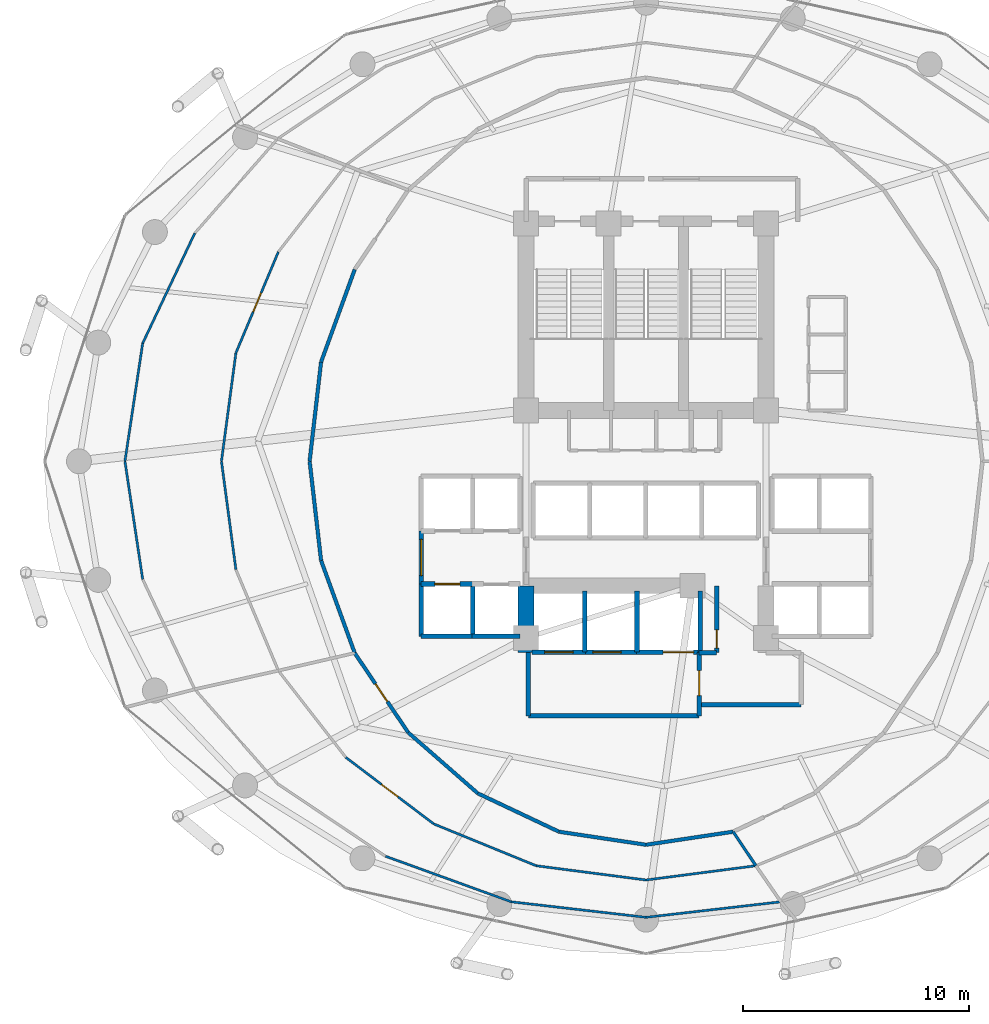
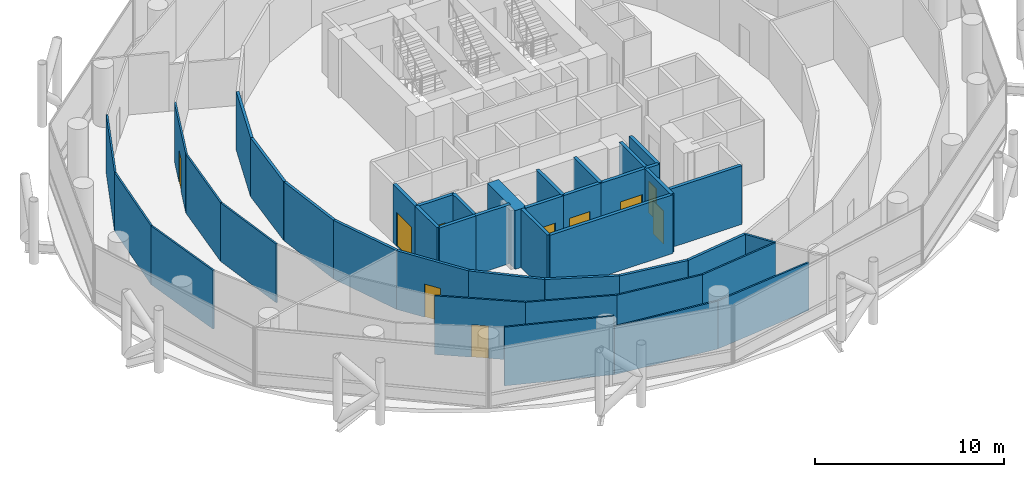
# One storey, part 21 of 26: 42 walls, 10 doors, 10 openings.
"""IFC4 building model written with IfcOpenShell, lengths in metres."""

from ifc_helpers import new_model, si_unit, direction, frame, frame_2d, origin, place, context, subcontext, project, spatial, rectangle, extrude, material, layer, layer_set, type_object, element, fill, save


model = new_model("IFC4")

# Units and contexts
model_context = context("Model", 3, precision=1e-05, world=origin(), true_north=direction((0.0, 1.0)))
body_context = subcontext(model_context, "Body", "Model", "MODEL_VIEW")
ifc_project = project(units=[si_unit("LENGTHUNIT", "METRE"), si_unit("AREAUNIT", "SQUARE_METRE"), si_unit("VOLUMEUNIT", "CUBIC_METRE"), si_unit("PLANEANGLEUNIT", "RADIAN"), si_unit("MASSUNIT", "GRAM", prefix="KILO")], contexts=[model_context])

# Site, building, storey
site_placement = place(None, origin())
site = spatial("IfcSite", under=ifc_project, at=site_placement, CompositionType="ELEMENT")
building_placement = place(site_placement, origin())
building = spatial("IfcBuilding", under=site, at=building_placement, Name="Nuhasar Tower", CompositionType="ELEMENT")
storey_placement = place(building_placement, frame((0.0, 0.0, 93.89990234375)))
storey = spatial("IfcBuildingStorey", under=building, at=storey_placement, Name="L22", CompositionType="ELEMENT", Elevation=93.89990234375)

# Walls
ifc_material_1 = material(Name="Concrete C65/80", Category="concrete")
ifc_layer_1 = layer(ifc_material_1, 0.699951171875)
ifc_layer_set_1 = layer_set([ifc_layer_1], Name="Concrete C65/80")
wall_type_1 = type_object("IfcWallType", Name="WL-CORE-700", PredefinedType="SHEAR", material=ifc_layer_set_1)
wall_1_placement = place(storey_placement, frame((33.699951171875, 18.35009765625, 0.0), z_axis=(0.0, 0.0, 1.0), x_axis=(0.0, 1.0, 0.0)))
element("IfcWall", 1, at=wall_1_placement, inside=storey, type_object=wall_type_1, Name="L22 Core Shear Wall CW-SW CW-700", PredefinedType="SHEAR", context=body_context, shape_type="SweptSolid", body=[
    extrude(rectangle(XDim=2.949951171875, YDim=0.699951171875, at=frame_2d((1.47509765625, 0.0))), origin(), (0.0, 0.0, 1.0), 3.800048828125),
])
ifc_material_2 = material(Name="Gypsum Board", Category="gypsum")
ifc_layer_2 = layer(ifc_material_2, 0.159912109375)
ifc_layer_set_2 = layer_set([ifc_layer_2], Name="Gypsum Board")
wall_type_2 = type_object("IfcWallType", Name="WL-CORR-160", PredefinedType="PARTITIONING", material=ifc_layer_set_2)
wall_2_placement = place(storey_placement, frame((26.131103515625, 35.27001953125, 0.0), z_axis=(0.0, 0.0, 1.0), x_axis=(-0.341603281562, -0.939844241365, 0.0)))
element("IfcWall", 2, at=wall_2_placement, inside=storey, type_object=wall_type_2, Name="L22 Interior Partition CORR-20", PredefinedType="PARTITIONING", context=body_context, shape_type="SweptSolid", body=[
    extrude(rectangle(XDim=4.347412109375, YDim=0.159912109375, at=frame_2d((2.173828125, 0.0))), origin(), (0.0, 0.0, 1.0), 3.800048828125),
])
for number, where, z_axis, x_axis, name in (
    (3, (24.64599609375, 31.18408203125, 0.0), (0.0, 0.0, 1.0), (-0.114680801911, -0.993402392625, 0.0), "L22 Interior Partition CORR-22"),
    (4, (24.139892578125, 26.800048828125, 0.0), (0.0, 0.0, 1.0), (0.114680801911, -0.993402392625, 0.0), "L22 Interior Partition CORR-24"),
):
    element("IfcWall", number, at=place(storey_placement, frame(where, z_axis=z_axis, x_axis=x_axis)), inside=storey, type_object=wall_type_2, Name=name, PredefinedType="PARTITIONING", context=body_context, shape_type="SweptSolid", body=[
        extrude(rectangle(XDim=4.4130859375, YDim=0.159912109375, at=frame_2d((2.20654296875, 0.0))), origin(), (0.0, 0.0, 1.0), 3.800048828125),
    ])
wall_3_placement = place(storey_placement, frame((24.64599609375, 22.416015625, 0.0), z_axis=(0.0, 0.0, 1.0), x_axis=(0.341603281562, -0.939844241365, 0.0)))
element("IfcWall", 5, at=wall_3_placement, inside=storey, type_object=wall_type_2, Name="L22 Interior Partition CORR-26", PredefinedType="PARTITIONING", context=body_context, shape_type="SweptSolid", body=[
    extrude(rectangle(XDim=4.347412109375, YDim=0.159912109375, at=frame_2d((2.173828125, 0.0))), origin(), (0.0, 0.0, 1.0), 3.800048828125),
])

# Wall, opening, door
wall_4_placement = place(storey_placement, frame((28.491943359375, 14.822021484375, 0.0), z_axis=(0.0, 0.0, 1.0), x_axis=(-0.558319056182, 0.829626320402, 0.0)))
wall_4 = element("IfcWall", 6, at=wall_4_placement, inside=storey, type_object=wall_type_2, Name="L22 Interior Partition CORR-28", PredefinedType="PARTITIONING", context=body_context, shape_type="SweptSolid", body=[
    extrude(rectangle(XDim=4.228515625, YDim=0.159912109375, at=frame_2d((2.1142578125, 0.0))), origin(), (0.0, 0.0, 1.0), 3.800048828125),
])
opening_1_placement = place(wall_4_placement, frame((1.638916015625, 0.0, 0.0)))
opening_1 = element("IfcOpeningElement", 7, at=opening_1_placement, cuts=wall_4, Name="Opening DO-01", PredefinedType="OPENING", context=body_context, shape_type="SweptSolid", body=[
    extrude(rectangle(XDim=0.949951171875, YDim=2.14990234375, at=frame_2d((0.47509765625, 1.074951171875))), frame((0.0, 0.08984375, 0.0), z_axis=(0.0, -1.0, 0.0), x_axis=(1.0, 0.0, 0.0)), (0.0, 0.0, 1.0), 0.179931640625),
])
ifc_material_3 = material(Name="Timber Oak", Category="wood")
door_type_1 = type_object("IfcDoorType", Name="DR-OFFICE-FD30-950", OperationType="NOTDEFINED", PredefinedType="DOOR", material=ifc_material_3)
door_1_placement = place(opening_1_placement, origin())
door_1 = element("IfcDoor", 8, at=door_1_placement, inside=storey, type_object=door_type_1, Name="L22 Members Cigar Hall Entry Door", OperationType="SINGLE_SWING_LEFT", OverallHeight=2.14990234375, OverallWidth=0.949951171875, PredefinedType="DOOR", context=body_context, shape_type="SweptSolid", body=[
    extrude(rectangle(XDim=0.949951171875, YDim=2.14990234375, at=frame_2d((0.47509765625, 1.074951171875))), frame((0.0, 0.02490234375, 0.0), z_axis=(0.0, -1.0, 0.0), x_axis=(1.0, 0.0, 0.0)), (0.0, 0.0, 1.0), 0.050048828125),
])
fill(opening_1, door_1)

# Walls
wall_5_placement = place(storey_placement, frame((28.491943359375, 14.822021484375, 0.0), z_axis=(0.0, 0.0, 1.0), x_axis=(0.752724610228, -0.658335523238, 0.0)))
element("IfcWall", 9, at=wall_5_placement, inside=storey, type_object=wall_type_2, Name="L22 Interior Partition CORR-30", PredefinedType="PARTITIONING", context=body_context, shape_type="SweptSolid", body=[
    extrude(rectangle(XDim=4.08935546875, YDim=0.159912109375, at=frame_2d((2.044677734375, 0.0))), origin(), (0.0, 0.0, 1.0), 3.800048828125),
])
wall_6_placement = place(storey_placement, frame((31.570068359375, 12.1298828125, 0.0), z_axis=(0.0, 0.0, 1.0), x_axis=(0.904206361714, -0.427095838701, 0.0)))
element("IfcWall", 10, at=wall_6_placement, inside=storey, type_object=wall_type_2, Name="L22 Interior Partition CORR-32", PredefinedType="PARTITIONING", context=body_context, shape_type="SweptSolid", body=[
    extrude(rectangle(XDim=3.963623046875, YDim=0.159912109375, at=frame_2d((1.98193359375, 0.0))), origin(), (0.0, 0.0, 1.0), 3.800048828125),
])
for number, where, z_axis, x_axis, name in (
    (11, (35.154052734375, 10.43701171875, 0.0), (0.0, 0.0, 1.0), (0.988935892392, -0.14834352274, 0.0), "L22 Interior Partition CORR-34"),
    (12, (39.0, 9.860107421875, 0.0), (0.0, 0.0, 1.0), (0.988935892392, 0.14834352274, 0.0), "L22 Interior Partition CORR-36"),
):
    element("IfcWall", number, at=place(storey_placement, frame(where, z_axis=z_axis, x_axis=x_axis)), inside=storey, type_object=wall_type_2, Name=name, PredefinedType="PARTITIONING", context=body_context, shape_type="SweptSolid", body=[
        extrude(rectangle(XDim=3.888916015625, YDim=0.159912109375, at=frame_2d((1.9443359375, 0.0))), origin(), (0.0, 0.0, 1.0), 3.800048828125),
    ])

# Wall, opening, door
ifc_material_4 = material(Name="Concrete C45/55", Category="concrete")
ifc_layer_3 = layer(ifc_material_4, 0.199951171875)
ifc_layer_set_3 = layer_set([ifc_layer_3], Name="Concrete C45/55")
wall_type_3 = type_object("IfcWallType", Name="WL-LOBBY-200", PredefinedType="SOLIDWALL", material=ifc_layer_set_3)
wall_7_placement = place(storey_placement, frame((29.070068359375, 21.3798828125, 0.0), z_axis=(0.0, 0.0, 1.0), x_axis=(0.0, 1.0, 0.0)))
wall_7 = element("IfcWall", 13, at=wall_7_placement, inside=storey, type_object=wall_type_3, Name="L22 Interior Partition LLBL-W", PredefinedType="SOLIDWALL", context=body_context, shape_type="SweptSolid", body=[
    extrude(rectangle(XDim=2.340087890625, YDim=0.199951171875, at=frame_2d((1.169921875, 0.0))), origin(), (0.0, 0.0, 1.0), 3.800048828125),
])
opening_2_placement = place(wall_7_placement, frame((0.3701171875, 0.0, 0.0)))
opening_2 = element("IfcOpeningElement", 14, at=opening_2_placement, cuts=wall_7, Name="Opening DC-01", PredefinedType="OPENING", context=body_context, shape_type="SweptSolid", body=[
    extrude(rectangle(XDim=1.60009765625, YDim=2.199951171875, at=frame_2d((0.800048828125, 1.10009765625))), frame((0.0, 0.10986328125, 0.0), z_axis=(0.0, -1.0, 0.0), x_axis=(1.0, 0.0, 0.0)), (0.0, 0.0, 1.0), 0.219970703125),
])
ifc_material_5 = material(Name="Steel S355", Category="steel")
door_type_2 = type_object("IfcDoorType", Name="DR-CORR-FD60-1600", OperationType="DOUBLE_DOOR_SINGLE_SWING", PredefinedType="DOOR", material=ifc_material_5)
door_2_placement = place(opening_2_placement, origin())
door_2 = element("IfcDoor", 15, at=door_2_placement, inside=storey, type_object=door_type_2, Name="L22 Low-Rise Lift Lobby West Entry", OperationType="DOUBLE_DOOR_SINGLE_SWING", OverallHeight=2.199951171875, OverallWidth=1.60009765625, PredefinedType="DOOR", context=body_context, shape_type="SweptSolid", body=[
    extrude(rectangle(XDim=1.60009765625, YDim=2.199951171875, at=frame_2d((0.800048828125, 1.10009765625))), frame((0.0, 0.02490234375, 0.0), z_axis=(0.0, -1.0, 0.0), x_axis=(1.0, 0.0, 0.0)), (0.0, 0.0, 1.0), 0.050048828125),
])
fill(opening_2, door_2)

# Walls
wall_8_placement = place(storey_placement, frame((33.800048828125, 15.550048828125, 0.0), z_axis=(0.0, 0.0, 1.0), x_axis=(1.0, 0.0, 0.0)))
element("IfcWall", 16, at=wall_8_placement, inside=storey, type_object=wall_type_3, Name="L22 Interior Partition FFL-S", PredefinedType="SOLIDWALL", context=body_context, shape_type="SweptSolid", body=[
    extrude(rectangle(XDim=7.550048828125, YDim=0.199951171875, at=frame_2d((3.77490234375, 0.0))), origin(), (0.0, 0.0, 1.0), 3.800048828125),
])
wall_9_placement = place(storey_placement, frame((33.800048828125, 15.550048828125, 0.0), z_axis=(0.0, 0.0, 1.0), x_axis=(0.0, 1.0, 0.0)))
element("IfcWall", 17, at=wall_9_placement, inside=storey, type_object=wall_type_3, Name="L22 Interior Partition FFL-W", PredefinedType="SOLIDWALL", context=body_context, shape_type="SweptSolid", body=[
    extrude(rectangle(XDim=2.800048828125, YDim=0.199951171875, at=frame_2d((1.39990234375, 0.0))), origin(), (0.0, 0.0, 1.0), 3.800048828125),
])

# Wall, opening, door
wall_10_placement = place(storey_placement, frame((41.35009765625, 15.550048828125, 0.0), z_axis=(0.0, 0.0, 1.0), x_axis=(0.0, 1.0, 0.0)))
wall_10 = element("IfcWall", 18, at=wall_10_placement, inside=storey, type_object=wall_type_3, Name="L22 Interior Partition FFL-E", PredefinedType="SOLIDWALL", context=body_context, shape_type="SweptSolid", body=[
    extrude(rectangle(XDim=2.800048828125, YDim=0.199951171875, at=frame_2d((1.39990234375, 0.0))), origin(), (0.0, 0.0, 1.0), 3.800048828125),
])
opening_3_placement = place(wall_10_placement, frame((0.89990234375, 0.0, 0.0)))
opening_3 = element("IfcOpeningElement", 19, at=opening_3_placement, cuts=wall_10, Name="Opening DS-02", PredefinedType="OPENING", context=body_context, shape_type="SweptSolid", body=[
    extrude(rectangle(XDim=1.10009765625, YDim=2.14990234375, at=frame_2d((0.550048828125, 1.074951171875))), frame((0.0, 0.10986328125, 0.0), z_axis=(0.0, -1.0, 0.0), x_axis=(1.0, 0.0, 0.0)), (0.0, 0.0, 1.0), 0.219970703125),
])
door_type_3 = type_object("IfcDoorType", Name="DR-FFL-FD120-1100", OperationType="NOTDEFINED", PredefinedType="DOOR", material=ifc_material_5)
door_3_placement = place(opening_3_placement, origin())
door_3 = element("IfcDoor", 20, at=door_3_placement, inside=storey, type_object=door_type_3, Name="L22 Firefighting Lobby Door", OperationType="SINGLE_SWING_RIGHT", OverallHeight=2.14990234375, OverallWidth=1.10009765625, PredefinedType="DOOR", context=body_context, shape_type="SweptSolid", body=[
    extrude(rectangle(XDim=1.10009765625, YDim=2.14990234375, at=frame_2d((0.550048828125, 1.074951171875))), frame((0.0, 0.02490234375, 0.0), z_axis=(0.0, -1.0, 0.0), x_axis=(1.0, 0.0, 0.0)), (0.0, 0.0, 1.0), 0.050048828125),
])
fill(opening_3, door_3)

# Wall
wall_11_placement = place(storey_placement, frame((41.35009765625, 16.050048828125, 0.0), z_axis=(0.0, 0.0, 1.0), x_axis=(1.0, 0.0, 0.0)))
element("IfcWall", 21, at=wall_11_placement, inside=storey, type_object=wall_type_3, Name="L22 Interior Partition SVLV-S", PredefinedType="SOLIDWALL", context=body_context, shape_type="SweptSolid", body=[
    extrude(rectangle(XDim=4.5, YDim=0.199951171875, at=frame_2d((2.25, 0.0))), origin(), (0.0, 0.0, 1.0), 3.800048828125),
])

# Wall, opening, door
ifc_material_6 = material(Name="Aluminium 6063-T6", Category="aluminium")
ifc_layer_4 = layer(ifc_material_6, 0.10009765625)
ifc_layer_set_4 = layer_set([ifc_layer_4], Name="Aluminium 6063-T6")
wall_type_4 = type_object("IfcWallType", Name="WL-MOVABLE-100", PredefinedType="MOVABLE", material=ifc_layer_set_4)
wall_12_placement = place(storey_placement, frame((22.758056640625, 36.048095703125, 0.0), z_axis=(0.0, 0.0, 1.0), x_axis=(-0.387289954907, -0.921957965869, 0.0)))
wall_12 = element("IfcWall", 22, at=wall_12_placement, inside=storey, type_object=wall_type_4, Name="L22 Interior Partition OR1-03-20", PredefinedType="MOVABLE", context=body_context, shape_type="SweptSolid", body=[
    extrude(rectangle(XDim=4.8388671875, YDim=0.10009765625, at=frame_2d((2.41943359375, 0.0))), origin(), (0.0, 0.0, 1.0), 3.800048828125),
])
opening_4_placement = place(wall_12_placement, frame((1.968994140625, 0.0, 0.0)))
opening_4 = element("IfcOpeningElement", 23, at=opening_4_placement, cuts=wall_12, Name="Opening DR-01", PredefinedType="OPENING", context=body_context, shape_type="SweptSolid", body=[
    extrude(rectangle(XDim=0.89990234375, YDim=2.10009765625, at=frame_2d((0.449951171875, 1.050048828125))), frame((0.0, 0.06005859375, 0.0), z_axis=(0.0, -1.0, 0.0), x_axis=(1.0, 0.0, 0.0)), (0.0, 0.0, 1.0), 0.1201171875),
])
door_type_4 = type_object("IfcDoorType", Name="DR-ROOM-900", OperationType="NOTDEFINED", PredefinedType="DOOR", material=ifc_material_3)
door_4_placement = place(opening_4_placement, origin())
door_4 = element("IfcDoor", 24, at=door_4_placement, inside=storey, type_object=door_type_4, Name="L22 Private Art Gallery Shop Mid Door", OperationType="SINGLE_SWING_LEFT", OverallHeight=2.10009765625, OverallWidth=0.89990234375, PredefinedType="DOOR", context=body_context, shape_type="SweptSolid", body=[
    extrude(rectangle(XDim=0.89990234375, YDim=2.10009765625, at=frame_2d((0.449951171875, 1.050048828125))), frame((0.0, 0.02490234375, 0.0), z_axis=(0.0, -1.0, 0.0), x_axis=(1.0, 0.0, 0.0)), (0.0, 0.0, 1.0), 0.050048828125),
])
fill(opening_4, door_4)

# Walls
wall_13_placement = place(storey_placement, frame((20.884033203125, 31.5869140625, 0.0), z_axis=(0.0, 0.0, 1.0), x_axis=(-0.132299485803, -0.991209789125, 0.0)))
element("IfcWall", 25, at=wall_13_placement, inside=storey, type_object=wall_type_4, Name="L22 Interior Partition OR1-03-22", PredefinedType="MOVABLE", context=body_context, shape_type="SweptSolid", body=[
    extrude(rectangle(XDim=4.829345703125, YDim=0.10009765625, at=frame_2d((2.41455078125, 0.0))), origin(), (0.0, 0.0, 1.0), 3.800048828125),
])
wall_14_placement = place(storey_placement, frame((20.2451171875, 26.800048828125, 0.0), z_axis=(0.0, 0.0, 1.0), x_axis=(0.132292856672, -0.99121067391, 0.0)))
element("IfcWall", 26, at=wall_14_placement, inside=storey, type_object=wall_type_4, Name="L22 Interior Partition OR1-03-24", PredefinedType="MOVABLE", context=body_context, shape_type="SweptSolid", body=[
    extrude(rectangle(XDim=4.82958984375, YDim=0.10009765625, at=frame_2d((2.414794921875, 0.0))), origin(), (0.0, 0.0, 1.0), 3.800048828125),
])
wall_15_placement = place(storey_placement, frame((19.06591796875, 36.873046875, 0.0), z_axis=(0.0, 0.0, 1.0), x_axis=(-0.42779935224, -0.903873726924, 0.0)))
element("IfcWall", 27, at=wall_15_placement, inside=storey, type_object=wall_type_4, Name="L22 Interior Partition OR2-03-20", PredefinedType="MOVABLE", context=body_context, shape_type="SweptSolid", body=[
    extrude(rectangle(XDim=5.3759765625, YDim=0.10009765625, at=frame_2d((2.68798828125, 0.0))), origin(), (0.0, 0.0, 1.0), 3.800048828125),
])
wall_16_placement = place(storey_placement, frame((16.76611328125, 32.013916015625, 0.0), z_axis=(0.0, 0.0, 1.0), x_axis=(-0.148729896957, -0.988877857853, 0.0)))
element("IfcWall", 28, at=wall_16_placement, inside=storey, type_object=wall_type_4, Name="L22 Interior Partition OR2-03-22", PredefinedType="MOVABLE", context=body_context, shape_type="SweptSolid", body=[
    extrude(rectangle(XDim=5.2724609375, YDim=0.10009765625, at=frame_2d((2.63623046875, 0.0))), origin(), (0.0, 0.0, 1.0), 3.800048828125),
])
wall_17_placement = place(storey_placement, frame((15.98193359375, 26.800048828125, 0.0), z_axis=(0.0, 0.0, 1.0), x_axis=(0.148723087006, -0.988878882064, 0.0)))
element("IfcWall", 29, at=wall_17_placement, inside=storey, type_object=wall_type_4, Name="L22 Interior Partition OR2-03-24", PredefinedType="MOVABLE", context=body_context, shape_type="SweptSolid", body=[
    extrude(rectangle(XDim=5.272705078125, YDim=0.10009765625, at=frame_2d((2.63623046875, 0.0))), origin(), (0.0, 0.0, 1.0), 3.800048828125),
])

# Wall, opening, door
wall_18_placement = place(storey_placement, frame((25.738037109375, 13.720947265625, 0.0), z_axis=(0.0, 0.0, 1.0), x_axis=(0.797436371063, -0.603403044494, 0.0)))
wall_18 = element("IfcWall", 30, at=wall_18_placement, inside=storey, type_object=wall_type_4, Name="L22 Interior Partition OR1-04-30", PredefinedType="MOVABLE", context=body_context, shape_type="SweptSolid", body=[
    extrude(rectangle(XDim=4.87060546875, YDim=0.10009765625, at=frame_2d((2.435302734375, 0.0))), origin(), (0.0, 0.0, 1.0), 3.800048828125),
])
opening_5_placement = place(wall_18_placement, frame((1.985107421875, 0.0, 0.0)))
opening_5 = element("IfcOpeningElement", 31, at=opening_5_placement, cuts=wall_18, Name="Opening DR-01", PredefinedType="OPENING", context=body_context, shape_type="SweptSolid", body=[
    extrude(rectangle(XDim=0.89990234375, YDim=2.10009765625, at=frame_2d((0.449951171875, 1.050048828125))), frame((0.0, 0.06005859375, 0.0), z_axis=(0.0, -1.0, 0.0), x_axis=(1.0, 0.0, 0.0)), (0.0, 0.0, 1.0), 0.1201171875),
])
door_5_placement = place(opening_5_placement, origin())
door_5 = element("IfcDoor", 32, at=door_5_placement, inside=storey, type_object=door_type_4, Name="L22 Members Cigar Hall Mid Door", OperationType="SINGLE_SWING_RIGHT", OverallHeight=2.10009765625, OverallWidth=0.89990234375, PredefinedType="DOOR", context=body_context, shape_type="SweptSolid", body=[
    extrude(rectangle(XDim=0.89990234375, YDim=2.10009765625, at=frame_2d((0.449951171875, 1.050048828125))), frame((0.0, 0.02490234375, 0.0), z_axis=(0.0, -1.0, 0.0), x_axis=(1.0, 0.0, 0.0)), (0.0, 0.0, 1.0), 0.050048828125),
])
fill(opening_5, door_5)

# Walls
wall_19_placement = place(storey_placement, frame((29.6220703125, 10.781982421875, 0.0), z_axis=(0.0, 0.0, 1.0), x_axis=(0.925747371304, -0.378142571689, 0.0)))
element("IfcWall", 33, at=wall_19_placement, inside=storey, type_object=wall_type_4, Name="L22 Interior Partition OR1-04-32", PredefinedType="MOVABLE", context=body_context, shape_type="SweptSolid", body=[
    extrude(rectangle(XDim=4.88671875, YDim=0.10009765625, at=frame_2d((2.443359375, 0.0))), origin(), (0.0, 0.0, 1.0), 3.800048828125),
])
for number, where, z_axis, x_axis, name in (
    (34, (34.14599609375, 8.93408203125, 0.0), (0.0, 0.0, 1.0), (0.991678938749, -0.128735707721, 0.0), "L22 Interior Partition OR1-04-34"),
    (35, (39.0, 8.303955078125, 0.0), (0.0, 0.0, 1.0), (0.991678938749, 0.128735707721, 0.0), "L22 Interior Partition OR1-04-36"),
):
    element("IfcWall", number, at=place(storey_placement, frame(where, z_axis=z_axis, x_axis=x_axis)), inside=storey, type_object=wall_type_4, Name=name, PredefinedType="MOVABLE", context=body_context, shape_type="SweptSolid", body=[
        extrude(rectangle(XDim=4.894775390625, YDim=0.10009765625, at=frame_2d((2.447265625, 0.0))), origin(), (0.0, 0.0, 1.0), 3.800048828125),
    ])
wall_20_placement = place(storey_placement, frame((27.490966796875, 9.35400390625, 0.0), z_axis=(0.0, 0.0, 1.0), x_axis=(0.940117685929, -0.340850020689, 0.0)))
element("IfcWall", 36, at=wall_20_placement, inside=storey, type_object=wall_type_4, Name="L22 Interior Partition OR2-04-32", PredefinedType="MOVABLE", context=body_context, shape_type="SweptSolid", body=[
    extrude(rectangle(XDim=5.90576171875, YDim=0.10009765625, at=frame_2d((2.952880859375, 0.0))), origin(), (0.0, 0.0, 1.0), 3.800048828125),
])
for number, where, z_axis, x_axis, name in (
    (37, (33.04296875, 7.341064453125, 0.0), (0.0, 0.0, 1.0), (0.993433875949, -0.114407753747, 0.0), "L22 Interior Partition OR2-04-34"),
    (38, (39.0, 6.655029296875, 0.0), (0.0, 0.0, 1.0), (0.993433875949, 0.114407753747, 0.0), "L22 Interior Partition OR2-04-36"),
):
    element("IfcWall", number, at=place(storey_placement, frame(where, z_axis=z_axis, x_axis=x_axis)), inside=storey, type_object=wall_type_4, Name=name, PredefinedType="MOVABLE", context=body_context, shape_type="SweptSolid", body=[
        extrude(rectangle(XDim=5.996337890625, YDim=0.10009765625, at=frame_2d((2.998046875, 0.0))), origin(), (0.0, 0.0, 1.0), 3.10498046875),
    ])
ifc_layer_5 = layer(ifc_material_2, 0.125)
ifc_layer_set_5 = layer_set([ifc_layer_5], Name="Gypsum Board")
wall_type_5 = type_object("IfcWallType", Name="WL-PART-125", PredefinedType="PARTITIONING", material=ifc_layer_set_5)
wall_21_placement = place(storey_placement, frame((42.845947265625, 10.43701171875, 0.0), z_axis=(0.0, 0.0, 1.0), x_axis=(0.557032949089, -0.83049039346, 0.0)))
element("IfcWall", 39, at=wall_21_placement, inside=storey, type_object=wall_type_5, Name="L22 Interior Partition ORAD7-38-S1", PredefinedType="PARTITIONING", context=body_context, shape_type="SweptSolid", body=[
    extrude(rectangle(XDim=1.8095703125, YDim=0.125, at=frame_2d((0.90478515625, 0.0))), origin(), (0.0, 0.0, 1.0), 3.800048828125),
])
ifc_layer_6 = layer(ifc_material_4, 0.199951171875)
ifc_layer_set_6 = layer_set([ifc_layer_6], Name="Concrete C45/55")
wall_type_6 = type_object("IfcWallType", Name="WL-SHAFT-200", PredefinedType="SOLIDWALL", material=ifc_layer_set_6)
wall_22_placement = place(storey_placement, frame((29.070068359375, 19.070068359375, 0.0), z_axis=(0.0, 0.0, 1.0), x_axis=(1.0, 0.0, 0.0)))
element("IfcWall", 40, at=wall_22_placement, inside=storey, type_object=wall_type_6, Name="L22 Interior Partition SHF-PL-L03-S", PredefinedType="SOLIDWALL", context=body_context, shape_type="SweptSolid", body=[
    extrude(rectangle(XDim=2.309814453125, YDim=0.199951171875, at=frame_2d((1.15478515625, 0.0))), origin(), (0.0, 0.0, 1.0), 3.800048828125),
])

# Wall, opening, door
wall_23_placement = place(storey_placement, frame((29.070068359375, 21.3798828125, 0.0), z_axis=(0.0, 0.0, 1.0), x_axis=(1.0, 0.0, 0.0)))
wall_23 = element("IfcWall", 41, at=wall_23_placement, inside=storey, type_object=wall_type_6, Name="L22 Interior Partition SHF-PL-L03-N", PredefinedType="SOLIDWALL", context=body_context, shape_type="SweptSolid", body=[
    extrude(rectangle(XDim=2.309814453125, YDim=0.199951171875, at=frame_2d((1.15478515625, 0.0))), origin(), (0.0, 0.0, 1.0), 3.800048828125),
])
opening_6_placement = place(wall_23_placement, frame((0.60498046875, 0.0, 0.0)))
opening_6 = element("IfcOpeningElement", 42, at=opening_6_placement, cuts=wall_23, Name="Opening LD-L03", PredefinedType="OPENING", context=body_context, shape_type="SweptSolid", body=[
    extrude(rectangle(XDim=1.10009765625, YDim=2.14990234375, at=frame_2d((0.550048828125, 1.074951171875))), frame((0.0, 0.10986328125, 0.0), z_axis=(0.0, -1.0, 0.0), x_axis=(1.0, 0.0, 0.0)), (0.0, 0.0, 1.0), 0.219970703125),
])
ifc_material_7 = material(Name="Stainless Steel 316L", Category="steel")
door_type_5 = type_object("IfcDoorType", Name="LD-PAX-1100", OperationType="DOUBLE_DOOR_SLIDING", PredefinedType="DOOR", material=ifc_material_7)
door_6_placement = place(opening_6_placement, origin())
door_6 = element("IfcDoor", 43, at=door_6_placement, inside=storey, type_object=door_type_5, Name="L22 Lift Landing Door PL-L03", OperationType="DOUBLE_DOOR_SLIDING", OverallHeight=2.14990234375, OverallWidth=1.10009765625, PredefinedType="DOOR", context=body_context, shape_type="SweptSolid", body=[
    extrude(rectangle(XDim=1.10009765625, YDim=2.14990234375, at=frame_2d((0.550048828125, 1.074951171875))), frame((0.0, 0.02490234375, 0.0), z_axis=(0.0, -1.0, 0.0), x_axis=(1.0, 0.0, 0.0)), (0.0, 0.0, 1.0), 0.050048828125),
])
fill(opening_6, door_6)

# Walls
for number, where, z_axis, x_axis, name in (
    (44, (29.070068359375, 19.070068359375, 0.0), (0.0, 0.0, 1.0), (0.0, 1.0, 0.0), "L22 Interior Partition SHF-PL-L03-W"),
    (45, (31.35009765625, 19.070068359375, 0.0), (0.0, 0.0, 1.0), (0.0, 1.0, 0.0), "L22 Interior Partition SHF-PL-L03-E"),
):
    element("IfcWall", number, at=place(storey_placement, frame(where, z_axis=z_axis, x_axis=x_axis)), inside=storey, type_object=wall_type_6, Name=name, PredefinedType="SOLIDWALL", context=body_context, shape_type="SweptSolid", body=[
        extrude(rectangle(XDim=2.309814453125, YDim=0.199951171875, at=frame_2d((1.15478515625, 0.0))), origin(), (0.0, 0.0, 1.0), 3.800048828125),
    ])
wall_24_placement = place(storey_placement, frame((31.320068359375, 19.070068359375, 0.0), z_axis=(0.0, 0.0, 1.0), x_axis=(1.0, 0.0, 0.0)))
element("IfcWall", 46, at=wall_24_placement, inside=storey, type_object=wall_type_6, Name="L22 Interior Partition SHF-PL-L04-S", PredefinedType="SOLIDWALL", context=body_context, shape_type="SweptSolid", body=[
    extrude(rectangle(XDim=2.10986328125, YDim=0.199951171875, at=frame_2d((1.054931640625, 0.0))), origin(), (0.0, 0.0, 1.0), 3.800048828125),
])

# Wall, opening, door
wall_25_placement = place(storey_placement, frame((33.969970703125, 18.3701171875, 0.0), z_axis=(0.0, 0.0, 1.0), x_axis=(1.0, 0.0, 0.0)))
wall_25 = element("IfcWall", 47, at=wall_25_placement, inside=storey, type_object=wall_type_6, Name="L22 Interior Partition SHF-FFL-01-S", PredefinedType="SOLIDWALL", context=body_context, shape_type="SweptSolid", body=[
    extrude(rectangle(XDim=2.360107421875, YDim=0.199951171875, at=frame_2d((1.18017578125, 0.0))), origin(), (0.0, 0.0, 1.0), 3.800048828125),
])
opening_7_placement = place(wall_25_placement, frame((0.554931640625, 0.0, 0.0)))
opening_7 = element("IfcOpeningElement", 48, at=opening_7_placement, cuts=wall_25, Name="Opening LD-F01", PredefinedType="OPENING", context=body_context, shape_type="SweptSolid", body=[
    extrude(rectangle(XDim=1.25, YDim=2.199951171875, at=frame_2d((0.625, 1.10009765625))), frame((0.0, 0.10986328125, 0.0), z_axis=(0.0, -1.0, 0.0), x_axis=(1.0, 0.0, 0.0)), (0.0, 0.0, 1.0), 0.219970703125),
])
door_type_6 = type_object("IfcDoorType", Name="LD-FFL-1250", OperationType="DOUBLE_DOOR_SLIDING", PredefinedType="DOOR", material=ifc_material_7)
door_7_placement = place(opening_7_placement, origin())
door_7 = element("IfcDoor", 49, at=door_7_placement, inside=storey, type_object=door_type_6, Name="L22 Lift Landing Door FFL-01", OperationType="DOUBLE_DOOR_SLIDING", OverallHeight=2.199951171875, OverallWidth=1.25, PredefinedType="DOOR", context=body_context, shape_type="SweptSolid", body=[
    extrude(rectangle(XDim=1.25, YDim=2.199951171875, at=frame_2d((0.625, 1.10009765625))), frame((0.0, 0.02490234375, 0.0), z_axis=(0.0, -1.0, 0.0), x_axis=(1.0, 0.0, 0.0)), (0.0, 0.0, 1.0), 0.050048828125),
])
fill(opening_7, door_7)

# Wall
wall_26_placement = place(storey_placement, frame((36.300048828125, 18.3701171875, 0.0), z_axis=(0.0, 0.0, 1.0), x_axis=(0.0, 1.0, 0.0)))
element("IfcWall", 50, at=wall_26_placement, inside=storey, type_object=wall_type_6, Name="L22 Interior Partition SHF-FFL-01-E", PredefinedType="SOLIDWALL", context=body_context, shape_type="SweptSolid", body=[
    extrude(rectangle(XDim=2.7099609375, YDim=0.199951171875, at=frame_2d((1.35498046875, 0.0))), origin(), (0.0, 0.0, 1.0), 3.800048828125),
])

# Wall, opening, door
wall_27_placement = place(storey_placement, frame((36.27001953125, 18.3701171875, 0.0), z_axis=(0.0, 0.0, 1.0), x_axis=(1.0, 0.0, 0.0)))
wall_27 = element("IfcWall", 51, at=wall_27_placement, inside=storey, type_object=wall_type_6, Name="L22 Interior Partition SHF-FFL-02-S", PredefinedType="SOLIDWALL", context=body_context, shape_type="SweptSolid", body=[
    extrude(rectangle(XDim=2.35986328125, YDim=0.199951171875, at=frame_2d((1.179931640625, 0.0))), origin(), (0.0, 0.0, 1.0), 3.800048828125),
])
opening_8_placement = place(wall_27_placement, frame((0.3798828125, 0.0, 0.0)))
opening_8 = element("IfcOpeningElement", 52, at=opening_8_placement, cuts=wall_27, Name="Opening LD-F02", PredefinedType="OPENING", context=body_context, shape_type="SweptSolid", body=[
    extrude(rectangle(XDim=1.25, YDim=2.199951171875, at=frame_2d((0.625, 1.10009765625))), frame((0.0, 0.10986328125, 0.0), z_axis=(0.0, -1.0, 0.0), x_axis=(1.0, 0.0, 0.0)), (0.0, 0.0, 1.0), 0.219970703125),
])
door_8_placement = place(opening_8_placement, origin())
door_8 = element("IfcDoor", 53, at=door_8_placement, inside=storey, type_object=door_type_6, Name="L22 Lift Landing Door FFL-02", OperationType="DOUBLE_DOOR_SLIDING", OverallHeight=2.199951171875, OverallWidth=1.25, PredefinedType="DOOR", context=body_context, shape_type="SweptSolid", body=[
    extrude(rectangle(XDim=1.25, YDim=2.199951171875, at=frame_2d((0.625, 1.10009765625))), frame((0.0, 0.02490234375, 0.0), z_axis=(0.0, -1.0, 0.0), x_axis=(1.0, 0.0, 0.0)), (0.0, 0.0, 1.0), 0.050048828125),
])
fill(opening_8, door_8)

# Wall
wall_28_placement = place(storey_placement, frame((38.60009765625, 18.3701171875, 0.0), z_axis=(0.0, 0.0, 1.0), x_axis=(0.0, 1.0, 0.0)))
element("IfcWall", 54, at=wall_28_placement, inside=storey, type_object=wall_type_6, Name="L22 Interior Partition SHF-FFL-02-E", PredefinedType="SOLIDWALL", context=body_context, shape_type="SweptSolid", body=[
    extrude(rectangle(XDim=2.7099609375, YDim=0.199951171875, at=frame_2d((1.35498046875, 0.0))), origin(), (0.0, 0.0, 1.0), 3.800048828125),
])

# Wall, opening, door
wall_29_placement = place(storey_placement, frame((38.570068359375, 18.3701171875, 0.0), z_axis=(0.0, 0.0, 1.0), x_axis=(1.0, 0.0, 0.0)))
wall_29 = element("IfcWall", 55, at=wall_29_placement, inside=storey, type_object=wall_type_6, Name="L22 Interior Partition SHF-SVL-01-S", PredefinedType="SOLIDWALL", context=body_context, shape_type="SweptSolid", body=[
    extrude(rectangle(XDim=2.829833984375, YDim=0.199951171875, at=frame_2d((1.4150390625, 0.0))), origin(), (0.0, 0.0, 1.0), 3.800048828125),
])
opening_9_placement = place(wall_29_placement, frame((1.179931640625, 0.0, 0.0)))
opening_9 = element("IfcOpeningElement", 56, at=opening_9_placement, cuts=wall_29, Name="Opening LD-S01", PredefinedType="OPENING", context=body_context, shape_type="SweptSolid", body=[
    extrude(rectangle(XDim=1.35009765625, YDim=2.179931640625, at=frame_2d((0.675048828125, 1.08984375))), frame((0.0, 0.10986328125, 0.0), z_axis=(0.0, -1.0, 0.0), x_axis=(1.0, 0.0, 0.0)), (0.0, 0.0, 1.0), 0.219970703125),
])
door_type_7 = type_object("IfcDoorType", Name="LD-SVL-1350", OperationType="DOUBLE_DOOR_SLIDING", PredefinedType="DOOR", material=ifc_material_7)
door_9_placement = place(opening_9_placement, origin())
door_9 = element("IfcDoor", 57, at=door_9_placement, inside=storey, type_object=door_type_7, Name="L22 Lift Landing Door SVL-01", OperationType="DOUBLE_DOOR_SLIDING", OverallHeight=2.179931640625, OverallWidth=1.35009765625, PredefinedType="DOOR", context=body_context, shape_type="SweptSolid", body=[
    extrude(rectangle(XDim=1.35009765625, YDim=2.179931640625, at=frame_2d((0.675048828125, 1.08984375))), frame((0.0, 0.02490234375, 0.0), z_axis=(0.0, -1.0, 0.0), x_axis=(1.0, 0.0, 0.0)), (0.0, 0.0, 1.0), 0.050048828125),
])
fill(opening_9, door_9)

# Wall
wall_30_placement = place(storey_placement, frame((41.39990234375, 18.3701171875, 0.0), z_axis=(0.0, 0.0, 1.0), x_axis=(0.0, 1.0, 0.0)))
element("IfcWall", 58, at=wall_30_placement, inside=storey, type_object=wall_type_6, Name="L22 Interior Partition SHF-SVL-01-E", PredefinedType="SOLIDWALL", context=body_context, shape_type="SweptSolid", body=[
    extrude(rectangle(XDim=2.7099609375, YDim=0.199951171875, at=frame_2d((1.35498046875, 0.0))), origin(), (0.0, 0.0, 1.0), 3.800048828125),
])

# Wall, opening, door
wall_31_placement = place(storey_placement, frame((42.1201171875, 18.35009765625, 0.0), z_axis=(0.0, 0.0, 1.0), x_axis=(0.0, 1.0, 0.0)))
wall_31 = element("IfcWall", 59, at=wall_31_placement, inside=storey, type_object=wall_type_6, Name="L22 Interior Partition RSR-E", PredefinedType="SOLIDWALL", context=body_context, shape_type="SweptSolid", body=[
    extrude(rectangle(XDim=2.949951171875, YDim=0.199951171875, at=frame_2d((1.47509765625, 0.0))), origin(), (0.0, 0.0, 1.0), 3.800048828125),
])
opening_10_placement = place(wall_31_placement, frame((0.199951171875, 0.0, 0.0)))
opening_10 = element("IfcOpeningElement", 60, at=opening_10_placement, cuts=wall_31, Name="Opening DM-01", PredefinedType="OPENING", context=body_context, shape_type="SweptSolid", body=[
    extrude(rectangle(XDim=0.800048828125, YDim=2.050048828125, at=frame_2d((0.39990234375, 1.02490234375))), frame((0.0, 0.10986328125, 0.0), z_axis=(0.0, -1.0, 0.0), x_axis=(1.0, 0.0, 0.0)), (0.0, 0.0, 1.0), 0.219970703125),
])
door_type_8 = type_object("IfcDoorType", Name="DR-RISER-FD60-800", OperationType="NOTDEFINED", PredefinedType="DOOR", material=ifc_material_5)
door_10_placement = place(opening_10_placement, origin())
door_10 = element("IfcDoor", 61, at=door_10_placement, inside=storey, type_object=door_type_8, Name="L22 MEP Riser Access Door", OperationType="SINGLE_SWING_LEFT", OverallHeight=2.050048828125, OverallWidth=0.800048828125, PredefinedType="DOOR", context=body_context, shape_type="SweptSolid", body=[
    extrude(rectangle(XDim=0.800048828125, YDim=2.050048828125, at=frame_2d((0.39990234375, 1.02490234375))), frame((0.0, 0.02490234375, 0.0), z_axis=(0.0, -1.0, 0.0), x_axis=(1.0, 0.0, 0.0)), (0.0, 0.0, 1.0), 0.050048828125),
])
fill(opening_10, door_10)

# Wall
wall_32_placement = place(storey_placement, frame((41.35009765625, 18.35009765625, 0.0), z_axis=(0.0, 0.0, 1.0), x_axis=(1.0, 0.0, 0.0)))
element("IfcWall", 62, at=wall_32_placement, inside=storey, type_object=wall_type_6, Name="L22 Interior Partition RSR-S", PredefinedType="SOLIDWALL", context=body_context, shape_type="SweptSolid", body=[
    extrude(rectangle(XDim=0.77001953125, YDim=0.199951171875, at=frame_2d((0.385009765625, 0.0))), origin(), (0.0, 0.0, 1.0), 3.800048828125),
])

save(model, "model.ifc")
